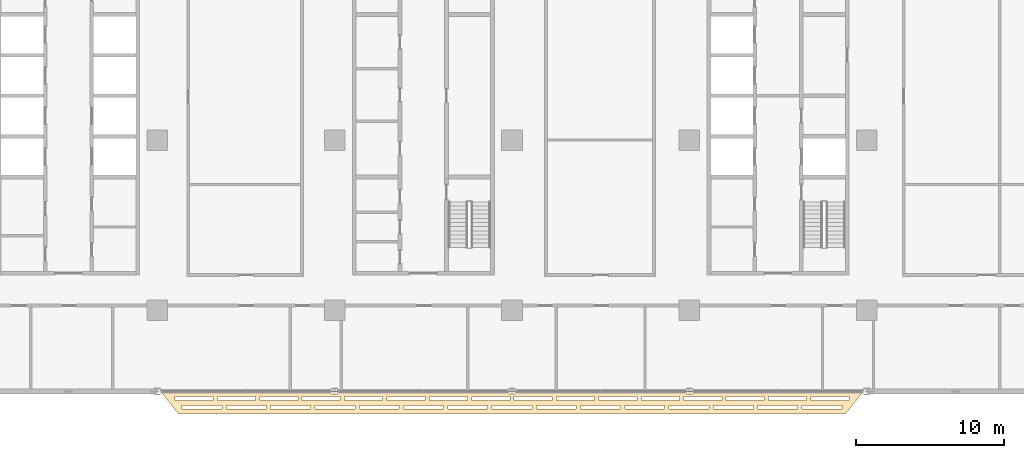
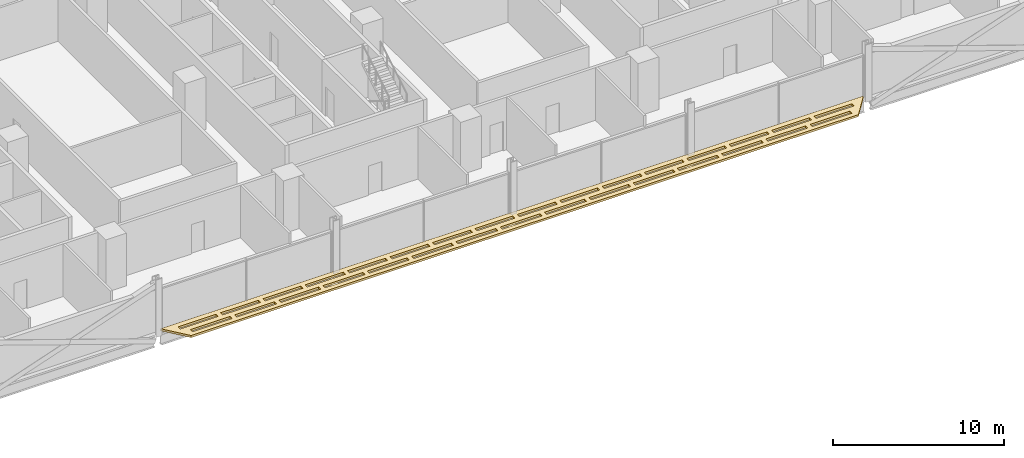
# One storey, part 25 of 29: 1 covering.
"""IFC4 building model written with IfcOpenShell, lengths in metres."""

from ifc_helpers import new_model, si_unit, direction, frame, origin, place, context, subcontext, project, spatial, polyline, outline, extrude, material, layer, layer_set, type_object, element, save


model = new_model("IFC4")

# Units and contexts
model_context = context("Model", 3, precision=1e-05, world=origin(), true_north=direction((0.0, 1.0)))
body_context = subcontext(model_context, "Body", "Model", "MODEL_VIEW")
ifc_project = project(units=[si_unit("LENGTHUNIT", "METRE"), si_unit("AREAUNIT", "SQUARE_METRE"), si_unit("VOLUMEUNIT", "CUBIC_METRE"), si_unit("PLANEANGLEUNIT", "RADIAN"), si_unit("MASSUNIT", "GRAM", prefix="KILO")], contexts=[model_context])

# Site, building, storey
site_placement = place(None, origin())
site = spatial("IfcSite", under=ifc_project, at=site_placement, CompositionType="ELEMENT")
building_placement = place(site_placement, origin())
building = spatial("IfcBuilding", under=site, at=building_placement, Name="Mahtab Terrace Research Tower", CompositionType="ELEMENT")
storey_placement = place(building_placement, frame((0.0, 0.0, 97.10009765625)))
storey = spatial("IfcBuildingStorey", under=building, at=storey_placement, Name="L22", CompositionType="ELEMENT", Elevation=97.10009765625)

# Covering
ifc_material = material(Name="Black anodised aluminium", Category="aluminium")
ifc_layer = layer(ifc_material, 0.14990234375)
ifc_layer_set = layer_set([ifc_layer], Name="Horizontal sunshade band")
covering_type = type_object("IfcCoveringType", Name="Horizontal sunshade band", PredefinedType="CLADDING", material=ifc_layer_set)
covering_placement = place(storey_placement, frame((0.0, 0.0, -0.150146484375)))
element("IfcCovering", 1, at=covering_placement, inside=storey, type_object=covering_type, Name="Sunshade band L22 25", PredefinedType="CLADDING", context=body_context, shape_type="SweptSolid", body=[
    extrude(outline(polyline([(-17.77197265625, -17.0), (29.77197265625, -17.0), (28.572021484375, -18.5), (-16.572021484375, -18.5), (-17.77197265625, -17.0)]), holes=[polyline([(-16.7919921875, -17.35009765625), (-14.22412109375, -17.35009765625), (-14.22412109375, -17.60009765625), (-16.7919921875, -17.60009765625), (-16.7919921875, -17.35009765625)]), polyline([(-13.924072265625, -17.35009765625), (-11.35693359375, -17.35009765625), (-11.35693359375, -17.60009765625), (-13.924072265625, -17.60009765625), (-13.924072265625, -17.35009765625)]), polyline([(-11.055908203125, -17.35009765625), (-8.489013671875, -17.35009765625), (-8.489013671875, -17.60009765625), (-11.055908203125, -17.60009765625), (-11.055908203125, -17.35009765625)]), polyline([(-8.18896484375, -17.35009765625), (-5.62109375, -17.35009765625), (-5.62109375, -17.60009765625), (-8.18896484375, -17.60009765625), (-8.18896484375, -17.35009765625)]), polyline([(-5.321044921875, -17.35009765625), (-2.7529296875, -17.35009765625), (-2.7529296875, -17.60009765625), (-5.321044921875, -17.60009765625), (-5.321044921875, -17.35009765625)]), polyline([(-2.452880859375, -17.35009765625), (0.114013671875, -17.35009765625), (0.114013671875, -17.60009765625), (-2.452880859375, -17.60009765625), (-2.452880859375, -17.35009765625)]), polyline([(0.4140625, -17.35009765625), (2.98193359375, -17.35009765625), (2.98193359375, -17.60009765625), (0.4140625, -17.60009765625), (0.4140625, -17.35009765625)]), polyline([(3.281982421875, -17.35009765625), (5.85009765625, -17.35009765625), (5.85009765625, -17.60009765625), (3.281982421875, -17.60009765625), (3.281982421875, -17.35009765625)]), polyline([(6.14990234375, -17.35009765625), (8.718017578125, -17.35009765625), (8.718017578125, -17.60009765625), (6.14990234375, -17.60009765625), (6.14990234375, -17.35009765625)]), polyline([(9.01806640625, -17.35009765625), (11.5849609375, -17.35009765625), (11.5849609375, -17.60009765625), (9.01806640625, -17.60009765625), (9.01806640625, -17.35009765625)]), polyline([(11.885009765625, -17.35009765625), (14.452880859375, -17.35009765625), (14.452880859375, -17.60009765625), (11.885009765625, -17.60009765625), (11.885009765625, -17.35009765625)]), polyline([(14.7529296875, -17.35009765625), (17.321044921875, -17.35009765625), (17.321044921875, -17.60009765625), (14.7529296875, -17.60009765625), (14.7529296875, -17.35009765625)]), polyline([(17.62109375, -17.35009765625), (20.18896484375, -17.35009765625), (20.18896484375, -17.60009765625), (17.62109375, -17.60009765625), (17.62109375, -17.35009765625)]), polyline([(20.489013671875, -17.35009765625), (23.055908203125, -17.35009765625), (23.055908203125, -17.60009765625), (20.489013671875, -17.60009765625), (20.489013671875, -17.35009765625)]), polyline([(23.35595703125, -17.35009765625), (25.924072265625, -17.35009765625), (25.924072265625, -17.60009765625), (23.35595703125, -17.60009765625), (23.35595703125, -17.35009765625)]), polyline([(26.22412109375, -17.35009765625), (28.7919921875, -17.35009765625), (28.7919921875, -17.60009765625), (26.22412109375, -17.60009765625), (26.22412109375, -17.35009765625)]), polyline([(-16.31201171875, -17.949951171875), (-13.616943359375, -17.949951171875), (-13.616943359375, -18.199951171875), (-16.31201171875, -18.199951171875), (-16.31201171875, -17.949951171875)]), polyline([(-13.31689453125, -17.949951171875), (-10.6220703125, -17.949951171875), (-10.6220703125, -18.199951171875), (-13.31689453125, -18.199951171875), (-13.31689453125, -17.949951171875)]), polyline([(-10.322021484375, -17.949951171875), (-7.626953125, -17.949951171875), (-7.626953125, -18.199951171875), (-10.322021484375, -18.199951171875), (-10.322021484375, -17.949951171875)]), polyline([(-7.326904296875, -17.949951171875), (-4.632080078125, -17.949951171875), (-4.632080078125, -18.199951171875), (-7.326904296875, -18.199951171875), (-7.326904296875, -17.949951171875)]), polyline([(-4.33203125, -17.949951171875), (-1.636962890625, -17.949951171875), (-1.636962890625, -18.199951171875), (-4.33203125, -18.199951171875), (-4.33203125, -17.949951171875)]), polyline([(-1.3369140625, -17.949951171875), (1.35791015625, -17.949951171875), (1.35791015625, -18.199951171875), (-1.3369140625, -18.199951171875), (-1.3369140625, -17.949951171875)]), polyline([(1.657958984375, -17.949951171875), (4.35302734375, -17.949951171875), (4.35302734375, -18.199951171875), (1.657958984375, -18.199951171875), (1.657958984375, -17.949951171875)]), polyline([(4.653076171875, -17.949951171875), (7.346923828125, -17.949951171875), (7.346923828125, -18.199951171875), (4.653076171875, -18.199951171875), (4.653076171875, -17.949951171875)]), polyline([(7.64697265625, -17.949951171875), (10.342041015625, -17.949951171875), (10.342041015625, -18.199951171875), (7.64697265625, -18.199951171875), (7.64697265625, -17.949951171875)]), polyline([(10.64208984375, -17.949951171875), (13.3369140625, -17.949951171875), (13.3369140625, -18.199951171875), (10.64208984375, -18.199951171875), (10.64208984375, -17.949951171875)]), polyline([(13.636962890625, -17.949951171875), (16.33203125, -17.949951171875), (16.33203125, -18.199951171875), (13.636962890625, -18.199951171875), (13.636962890625, -17.949951171875)]), polyline([(16.632080078125, -17.949951171875), (19.326904296875, -17.949951171875), (19.326904296875, -18.199951171875), (16.632080078125, -18.199951171875), (16.632080078125, -17.949951171875)]), polyline([(19.626953125, -17.949951171875), (22.322021484375, -17.949951171875), (22.322021484375, -18.199951171875), (19.626953125, -18.199951171875), (19.626953125, -17.949951171875)]), polyline([(22.6220703125, -17.949951171875), (25.31689453125, -17.949951171875), (25.31689453125, -18.199951171875), (22.6220703125, -18.199951171875), (22.6220703125, -17.949951171875)]), polyline([(25.616943359375, -17.949951171875), (28.31201171875, -17.949951171875), (28.31201171875, -18.199951171875), (25.616943359375, -18.199951171875), (25.616943359375, -17.949951171875)])]), origin(), (0.0, 0.0, 1.0), 0.150146484375),
])

save(model, "model.ifc")
